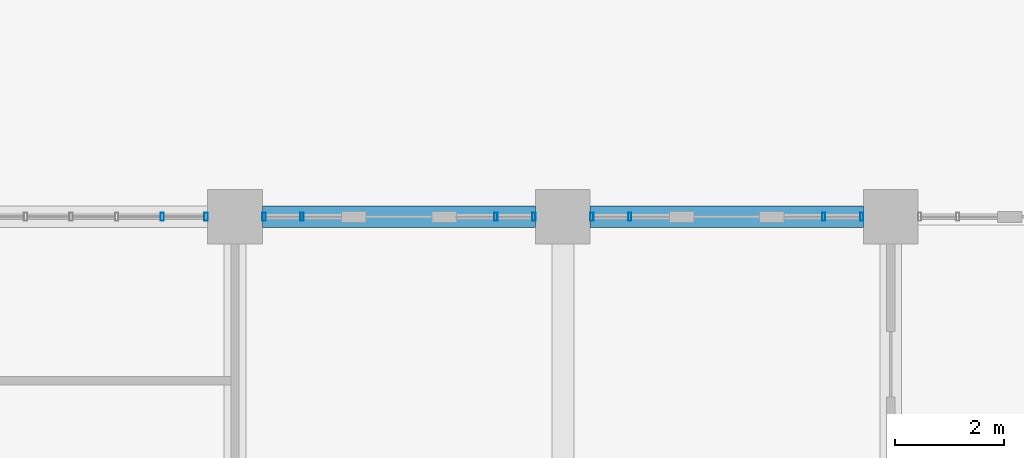
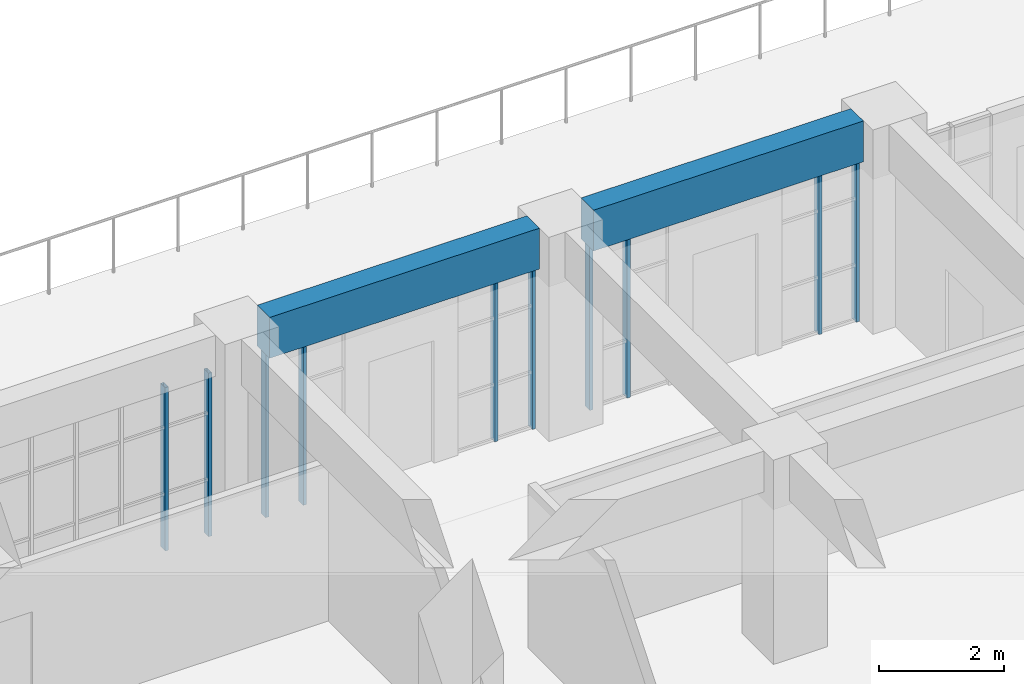
# One storey, part 55 of 101: 10 members, 2 beams, 5 elements without a shape of their own.
"""IFC4 building model written with IfcOpenShell, lengths in metres."""

from ifc_helpers import new_model, si_unit, direction, frame, origin, origin_2d, place, context, subcontext, project, spatial, rectangle, hollow_rectangle, extrude, material, material_profile, profile_set, type_object, element, aggregate, save


model = new_model("IFC4")

# Units and contexts
model_context = context("Model", 3, precision=1e-05, world=origin(), true_north=direction((0.0, 1.0)))
body_context = subcontext(model_context, "Body", "Model", "MODEL_VIEW")
ifc_project = project(units=[si_unit("LENGTHUNIT", "METRE"), si_unit("AREAUNIT", "SQUARE_METRE"), si_unit("VOLUMEUNIT", "CUBIC_METRE"), si_unit("PLANEANGLEUNIT", "RADIAN"), si_unit("MASSUNIT", "GRAM", prefix="KILO")], contexts=[model_context])

# Site, building, storey
site_placement = place(None, origin())
site = spatial("IfcSite", under=ifc_project, at=site_placement, CompositionType="ELEMENT")
building_placement = place(site_placement, origin())
building = spatial("IfcBuilding", under=site, at=building_placement, Name="Laocheng Heights Fire and Rescue Headquarters", CompositionType="ELEMENT")
storey_placement = place(building_placement, frame((0.0, 0.0, 8.39990234375)))
storey = spatial("IfcBuildingStorey", under=building, at=storey_placement, Name="L02", CompositionType="ELEMENT", Elevation=8.39990234375)

# Curtain wall, members
ifc_material_1 = material(Name="Dark anodised aluminium unitised curtain wall, low-e double glazing", Category="aluminium")
curtain_wall_type_1 = type_object("IfcCurtainWallType", Name="CW 5000 x 3200 HQ NORTH GLAZING", PredefinedType="NOTDEFINED", material=ifc_material_1)
curtain_wall_1_placement = place(storey_placement, origin())
curtain_wall_1 = element("IfcCurtainWall", 1, at=curtain_wall_1_placement, inside=storey, type_object=curtain_wall_type_1, Name="X17-X HQ NORTH L02", PredefinedType="NOTDEFINED")
ifc_material_2 = material(Name="Dark anodised aluminium 6063-T5 extrusion", Category="aluminium")
ifc_material_profile_1 = material_profile(ifc_material_2, hollow_rectangle(XDim=0.14990234375, YDim=0.06005859375, WallThickness=0.0029296875, at=origin_2d()), Name="AL MULLION 150x60x3 HQ NORTH GLAZING")
ifc_profile_set_1 = profile_set([ifc_material_profile_1], Name="Dark anodised aluminium 6063-T5 extrusion")
member_type = type_object("IfcMemberType", Name="AL MULLION 150x60x3 HQ NORTH GLAZING", PredefinedType="MULLION", material=ifc_profile_set_1)
member_1_placement = place(storey_placement, frame((46.666748046875, 72.0, 0.0), z_axis=(0.0, 0.0, 1.0), x_axis=(0.0, 1.0, 0.0)))
member_1 = element("IfcMember", 2, at=member_1_placement, type_object=member_type, Name="X17-X mullion 6", PredefinedType="MULLION", context=body_context, shape_type="SweptSolid", body=[
    extrude(hollow_rectangle(XDim=0.14990234375, YDim=0.06005859375, WallThickness=0.0029296875, at=origin_2d()), origin(), (0.0, 0.0, 1.0), 3.2001953125),
])
member_2_placement = place(storey_placement, frame((47.469970703125, 72.0, 0.0), z_axis=(0.0, 0.0, 1.0), x_axis=(0.0, 1.0, 0.0)))
member_2 = element("IfcMember", 3, at=member_2_placement, type_object=member_type, Name="X17-X mullion 7", PredefinedType="MULLION", context=body_context, shape_type="SweptSolid", body=[
    extrude(hollow_rectangle(XDim=0.14990234375, YDim=0.06005859375, WallThickness=0.0029296875, at=origin_2d()), origin(), (0.0, 0.0, 1.0), 3.2001953125),
])
aggregate(curtain_wall_1, [member_1, member_2])

ifc_material_3 = material(Name="Dark anodised aluminium unitised curtain wall, low-e double glazing", Category="aluminium")
curtain_wall_type_2 = type_object("IfcCurtainWallType", Name="CW 1450 x 3200 HQ NORTH GLAZING", PredefinedType="NOTDEFINED", material=ifc_material_3)
curtain_wall_2_placement = place(storey_placement, origin())
curtain_wall_2 = element("IfcCurtainWall", 4, at=curtain_wall_2_placement, inside=storey, type_object=curtain_wall_type_2, Name="X18-X HQ NORTH L02", PredefinedType="NOTDEFINED")
member_3_placement = place(storey_placement, frame((48.530029296875, 72.0, 0.0), z_axis=(0.0, 0.0, 1.0), x_axis=(0.0, 1.0, 0.0)))
member_3 = element("IfcMember", 5, at=member_3_placement, type_object=member_type, Name="X18-X mullion 1", PredefinedType="MULLION", context=body_context, shape_type="SweptSolid", body=[
    extrude(hollow_rectangle(XDim=0.14990234375, YDim=0.06005859375, WallThickness=0.0029296875, at=origin_2d()), origin(), (0.0, 0.0, 1.0), 3.2001953125),
])
member_4_placement = place(storey_placement, frame((49.22509765625, 72.0, 0.0), z_axis=(0.0, 0.0, 1.0), x_axis=(0.0, 1.0, 0.0)))
member_4 = element("IfcMember", 6, at=member_4_placement, type_object=member_type, Name="X18-X mullion 2", PredefinedType="MULLION", context=body_context, shape_type="SweptSolid", body=[
    extrude(hollow_rectangle(XDim=0.14990234375, YDim=0.06005859375, WallThickness=0.0029296875, at=origin_2d()), origin(), (0.0, 0.0, 1.0), 3.2001953125),
])
aggregate(curtain_wall_2, [member_3, member_4])

curtain_wall_3_placement = place(storey_placement, origin())
curtain_wall_3 = element("IfcCurtainWall", 7, at=curtain_wall_3_placement, inside=storey, type_object=curtain_wall_type_2, Name="X18-X HQ NORTH L02", PredefinedType="NOTDEFINED")
member_5_placement = place(storey_placement, frame((52.77490234375, 72.0, 0.0), z_axis=(0.0, 0.0, 1.0), x_axis=(0.0, 1.0, 0.0)))
member_5 = element("IfcMember", 8, at=member_5_placement, type_object=member_type, Name="X18-X mullion 2", PredefinedType="MULLION", context=body_context, shape_type="SweptSolid", body=[
    extrude(hollow_rectangle(XDim=0.14990234375, YDim=0.06005859375, WallThickness=0.0029296875, at=origin_2d()), origin(), (0.0, 0.0, 1.0), 3.2001953125),
])
member_6_placement = place(storey_placement, frame((53.469970703125, 72.0, 0.0), z_axis=(0.0, 0.0, 1.0), x_axis=(0.0, 1.0, 0.0)))
member_6 = element("IfcMember", 9, at=member_6_placement, type_object=member_type, Name="X18-X mullion 3", PredefinedType="MULLION", context=body_context, shape_type="SweptSolid", body=[
    extrude(hollow_rectangle(XDim=0.14990234375, YDim=0.06005859375, WallThickness=0.0029296875, at=origin_2d()), origin(), (0.0, 0.0, 1.0), 3.2001953125),
])
aggregate(curtain_wall_3, [member_5, member_6])

curtain_wall_4_placement = place(storey_placement, origin())
curtain_wall_4 = element("IfcCurtainWall", 10, at=curtain_wall_4_placement, inside=storey, type_object=curtain_wall_type_2, Name="X18-X HQ NORTH L02", PredefinedType="NOTDEFINED")
member_7_placement = place(storey_placement, frame((54.530029296875, 72.0, 0.0), z_axis=(0.0, 0.0, 1.0), x_axis=(0.0, 1.0, 0.0)))
member_7 = element("IfcMember", 11, at=member_7_placement, type_object=member_type, Name="X18-X mullion 1", PredefinedType="MULLION", context=body_context, shape_type="SweptSolid", body=[
    extrude(hollow_rectangle(XDim=0.14990234375, YDim=0.06005859375, WallThickness=0.0029296875, at=origin_2d()), origin(), (0.0, 0.0, 1.0), 3.2001953125),
])
member_8_placement = place(storey_placement, frame((55.22509765625, 72.0, 0.0), z_axis=(0.0, 0.0, 1.0), x_axis=(0.0, 1.0, 0.0)))
member_8 = element("IfcMember", 12, at=member_8_placement, type_object=member_type, Name="X18-X mullion 2", PredefinedType="MULLION", context=body_context, shape_type="SweptSolid", body=[
    extrude(hollow_rectangle(XDim=0.14990234375, YDim=0.06005859375, WallThickness=0.0029296875, at=origin_2d()), origin(), (0.0, 0.0, 1.0), 3.2001953125),
])
aggregate(curtain_wall_4, [member_7, member_8])

curtain_wall_5_placement = place(storey_placement, origin())
curtain_wall_5 = element("IfcCurtainWall", 13, at=curtain_wall_5_placement, inside=storey, type_object=curtain_wall_type_2, Name="X18-X HQ NORTH L02", PredefinedType="NOTDEFINED")
member_9_placement = place(storey_placement, frame((58.77490234375, 72.0, 0.0), z_axis=(0.0, 0.0, 1.0), x_axis=(0.0, 1.0, 0.0)))
member_9 = element("IfcMember", 14, at=member_9_placement, type_object=member_type, Name="X18-X mullion 2", PredefinedType="MULLION", context=body_context, shape_type="SweptSolid", body=[
    extrude(hollow_rectangle(XDim=0.14990234375, YDim=0.06005859375, WallThickness=0.0029296875, at=origin_2d()), origin(), (0.0, 0.0, 1.0), 3.2001953125),
])
member_10_placement = place(storey_placement, frame((59.469970703125, 72.0, 0.0), z_axis=(0.0, 0.0, 1.0), x_axis=(0.0, 1.0, 0.0)))
member_10 = element("IfcMember", 15, at=member_10_placement, type_object=member_type, Name="X18-X mullion 3", PredefinedType="MULLION", context=body_context, shape_type="SweptSolid", body=[
    extrude(hollow_rectangle(XDim=0.14990234375, YDim=0.06005859375, WallThickness=0.0029296875, at=origin_2d()), origin(), (0.0, 0.0, 1.0), 3.2001953125),
])
aggregate(curtain_wall_5, [member_9, member_10])

# Beams
ifc_material_4 = material(Name="Concrete C40", Category="concrete")
ifc_material_profile_2 = material_profile(ifc_material_4, rectangle(XDim=0.39990234375, YDim=0.800048828125, at=origin_2d()), Name="RC BEAM 400x800 HQ")
ifc_profile_set_2 = profile_set([ifc_material_profile_2], Name="Concrete C40")
beam_type = type_object("IfcBeamType", Name="RC BEAM 400x800 HQ", PredefinedType="BEAM", material=ifc_profile_set_2)
for number, where, z_axis, x_axis, name in (
    (16, (48.5, 72.0, 3.60009765625), (1.0, 0.0, 0.0), (0.0, 1.0, 0.0), "HQ beam L02"),
    (17, (54.5, 72.0, 3.60009765625), (1.0, 0.0, 0.0), (0.0, 1.0, 0.0), "HQ beam L02"),
):
    element("IfcBeam", number, at=place(storey_placement, frame(where, z_axis=z_axis, x_axis=x_axis)), inside=storey, type_object=beam_type, Name=name, PredefinedType="BEAM", context=body_context, shape_type="SweptSolid", body=[
        extrude(rectangle(XDim=0.39990234375, YDim=0.800048828125, at=origin_2d()), origin(), (0.0, 0.0, 1.0), 5.0),
    ])

save(model, "model.ifc")
